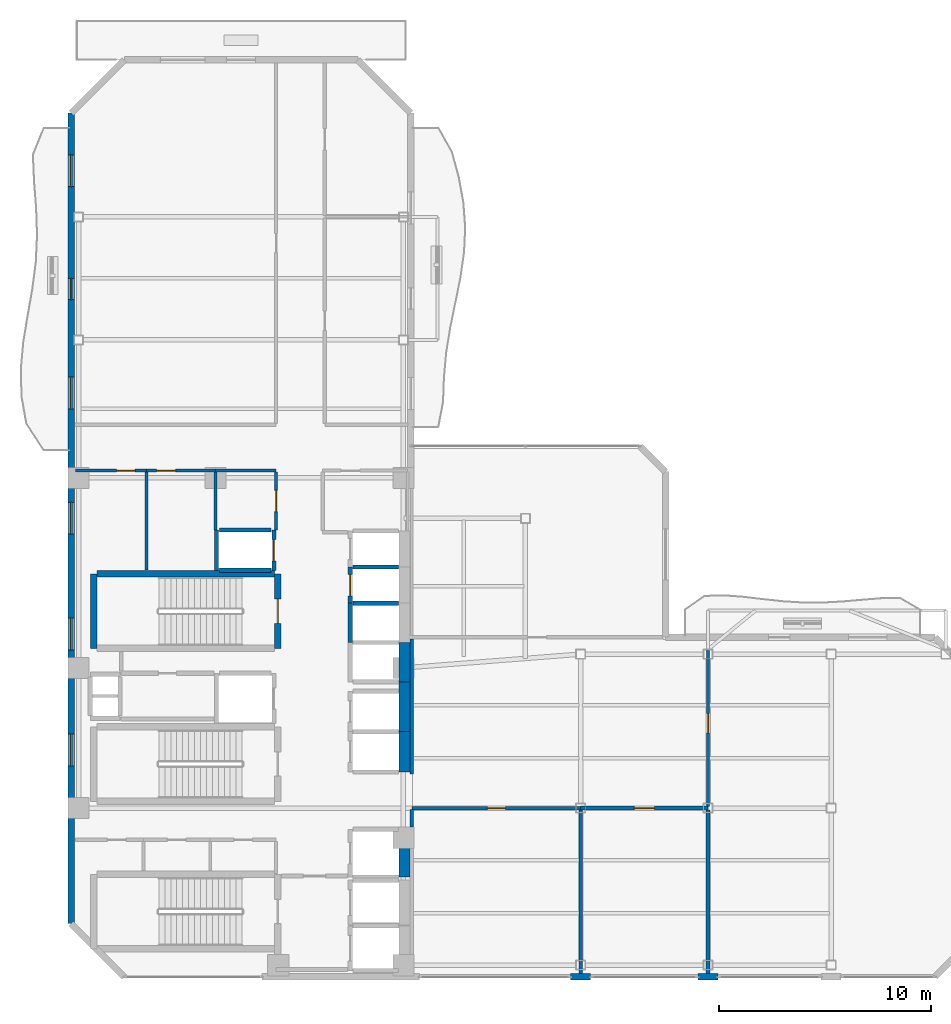
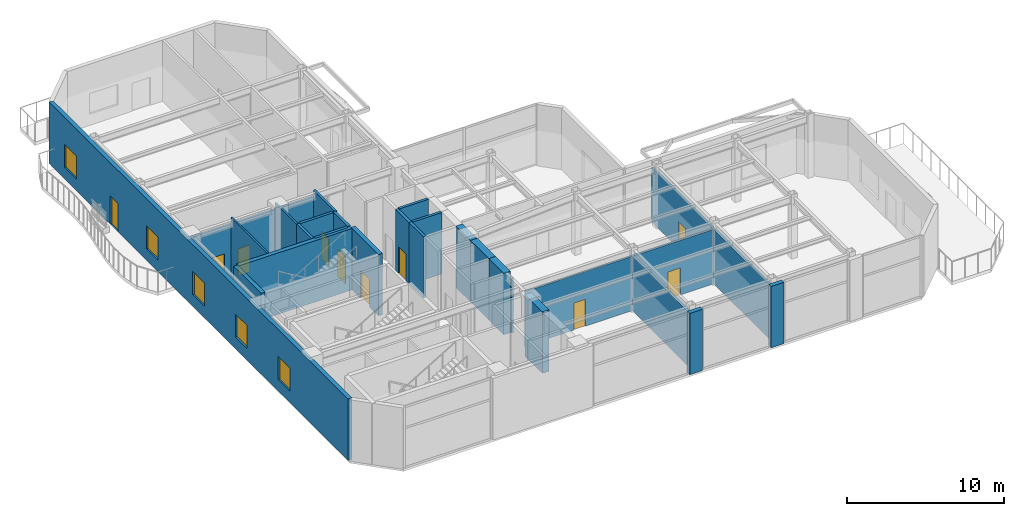
# One storey, part 11 of 16: 31 walls, 10 doors, 5 windows, 15 openings.
"""IFC4 building model written with IfcOpenShell, lengths in metres."""

from ifc_helpers import new_model, si_unit, direction, frame, frame_2d, origin, place, context, subcontext, project, spatial, rectangle, extrude, material, layer, layer_set, type_object, element, fill, save


model = new_model("IFC4")

# Units and contexts
model_context = context("Model", 3, precision=1e-05, world=origin(), true_north=direction((0.0, 1.0)))
body_context = subcontext(model_context, "Body", "Model", "MODEL_VIEW")
ifc_project = project(units=[si_unit("LENGTHUNIT", "METRE"), si_unit("AREAUNIT", "SQUARE_METRE"), si_unit("VOLUMEUNIT", "CUBIC_METRE"), si_unit("PLANEANGLEUNIT", "RADIAN"), si_unit("MASSUNIT", "GRAM", prefix="KILO")], contexts=[model_context])

# Site, building, storey
site_placement = place(None, origin())
site = spatial("IfcSite", under=ifc_project, at=site_placement, CompositionType="ELEMENT")
building_placement = place(site_placement, origin())
building = spatial("IfcBuilding", under=site, at=building_placement, Name="Mawjaban Terraces University", CompositionType="ELEMENT")
storey_placement = place(building_placement, frame((0.0, 0.0, 170.800048828125)))
storey = spatial("IfcBuildingStorey", under=building, at=storey_placement, Name="L41", CompositionType="ELEMENT", Elevation=170.800048828125)

# Wall, opening, door
ifc_material_1 = material(Name="Acoustic masonry blockwork", Category="masonry")
ifc_layer_1 = layer(ifc_material_1, 0.179931640625)
ifc_layer_set_1 = layer_set([ifc_layer_1], Name="Acoustic masonry blockwork")
wall_type_1 = type_object("IfcWallType", Name="AcousticStudioWall_180", PredefinedType="PARTITIONING", material=ifc_layer_set_1)
wall_1_placement = place(storey_placement, frame((46.0, 7.949951171875, 0.0), z_axis=(0.0, 0.0, 1.0), x_axis=(1.0, 0.0, 0.0)))
wall_1 = element("IfcWall", 1, at=wall_1_placement, inside=storey, type_object=wall_type_1, Name="L41 Transfer Sky Lobby Concourse Partition 18", PredefinedType="PARTITIONING", context=body_context, shape_type="SweptSolid", body=[
    extrude(rectangle(XDim=6.0, YDim=0.179931640625, at=frame_2d((3.0, 0.0))), origin(), (0.0, 0.0, 1.0), 4.245849609375),
])
opening_1_placement = place(wall_1_placement, frame((2.52490234375, 0.0, 0.0)))
opening_1 = element("IfcOpeningElement", 2, at=opening_1_placement, cuts=wall_1, Name="Opening ID-095", PredefinedType="OPENING", context=body_context, shape_type="SweptSolid", body=[
    extrude(rectangle(XDim=0.949951171875, YDim=2.10009765625, at=frame_2d((0.47509765625, 1.050048828125))), frame((0.0, 0.099853515625, 0.0), z_axis=(0.0, -1.0, 0.0), x_axis=(1.0, 0.0, 0.0)), (0.0, 0.0, 1.0), 0.199951171875),
])
ifc_material_2 = material(Name="Powder-coated steel frame and solid acoustic timber leaf", Category="steel")
door_type_1 = type_object("IfcDoorType", Name="StudioDoor_950x2100", OperationType="NOTDEFINED", PredefinedType="DOOR", material=ifc_material_2)
door_1_placement = place(opening_1_placement, origin())
door_1 = element("IfcDoor", 3, at=door_1_placement, inside=storey, type_object=door_type_1, Name="L41 Digital Exhibition Workshop Door", OperationType="SINGLE_SWING_RIGHT", OverallHeight=2.10009765625, OverallWidth=0.949951171875, PredefinedType="DOOR", context=body_context, shape_type="SweptSolid", body=[
    extrude(rectangle(XDim=0.949951171875, YDim=2.10009765625, at=frame_2d((0.47509765625, 1.050048828125))), frame((0.0, 0.02490234375, 0.0), z_axis=(0.0, -1.0, 0.0), x_axis=(1.0, 0.0, 0.0)), (0.0, 0.0, 1.0), 0.050048828125),
])
fill(opening_1, door_1)

# Walls
for number, where, z_axis, x_axis, name in (
    (4, (46.0, 0.14501953125, 0.0), (0.0, 0.0, 1.0), (0.0, 1.0, 0.0), "L41 Sky Lobby Espresso and Tea Pantry Partition 35"),
    (5, (52.0, 7.864990234375, 0.0), (0.0, 0.0, 1.0), (0.0, -1.0, 0.0), "L41 Mid-to-High Sky Lounge Partition 36"),
):
    element("IfcWall", number, at=place(storey_placement, frame(where, z_axis=z_axis, x_axis=x_axis)), inside=storey, type_object=wall_type_1, Name=name, PredefinedType="PARTITIONING", context=body_context, shape_type="SweptSolid", body=[
        extrude(rectangle(XDim=7.719970703125, YDim=0.179931640625, at=frame_2d((3.85986328125, 0.0))), origin(), (0.0, 0.0, 1.0), 4.245849609375),
    ])
ifc_material_3 = material(Name="Concrete C60/75", Category="concrete")
ifc_layer_2 = layer(ifc_material_3, 0.5)
ifc_layer_set_2 = layer_set([ifc_layer_2], Name="Concrete C60/75")
wall_type_2 = type_object("IfcWallType", Name="CoreShearWall_500", PredefinedType="SHEAR", material=ifc_layer_set_2)
wall_2_placement = place(storey_placement, frame((37.699951171875, 4.699951171875, 0.0), z_axis=(0.0, 0.0, 1.0), x_axis=(0.0, 1.0, 0.0)))
element("IfcWall", 6, at=wall_2_placement, inside=storey, type_object=wall_type_2, Name="L41 Lift SL-1 Hoistway Wall East", PredefinedType="SHEAR", context=body_context, shape_type="SweptSolid", body=[
    extrude(rectangle(XDim=2.25, YDim=0.5, at=frame_2d((1.125, 0.0))), origin(), (0.0, 0.0, 1.0), 4.7900390625),
])
wall_3_placement = place(storey_placement, frame((37.699951171875, 9.64990234375, 0.0), z_axis=(0.0, 0.0, 1.0), x_axis=(0.0, 1.0, 0.0)))
element("IfcWall", 7, at=wall_3_placement, inside=storey, type_object=wall_type_2, Name="L41 Lift PL-H1 Hoistway Wall East", PredefinedType="SHEAR", context=body_context, shape_type="SweptSolid", body=[
    extrude(rectangle(XDim=1.900146484375, YDim=0.5, at=frame_2d((0.9501953125, 0.0))), origin(), (0.0, 0.0, 1.0), 4.7900390625),
])
wall_4_placement = place(storey_placement, frame((37.699951171875, 11.550048828125, 0.0), z_axis=(0.0, 0.0, 1.0), x_axis=(0.0, 1.0, 0.0)))
element("IfcWall", 8, at=wall_4_placement, inside=storey, type_object=wall_type_2, Name="L41 Lift PL-H2 Hoistway Wall East", PredefinedType="SHEAR", context=body_context, shape_type="SweptSolid", body=[
    extrude(rectangle(XDim=2.349853515625, YDim=0.5, at=frame_2d((1.1748046875, 0.0))), origin(), (0.0, 0.0, 1.0), 4.7900390625),
])
wall_5_placement = place(storey_placement, frame((37.699951171875, 13.89990234375, 0.0), z_axis=(0.0, 0.0, 1.0), x_axis=(0.0, 1.0, 0.0)))
element("IfcWall", 9, at=wall_5_placement, inside=storey, type_object=wall_type_2, Name="L41 Lift OL-1 Hoistway Wall East", PredefinedType="SHEAR", context=body_context, shape_type="SweptSolid", body=[
    extrude(rectangle(XDim=1.85009765625, YDim=0.5, at=frame_2d((0.925048828125, 0.0))), origin(), (0.0, 0.0, 1.0), 4.7900390625),
])

# Wall, opening, door
ifc_material_4 = material(Name="Fire-rated gypsum board on steel stud", Category="steel")
ifc_layer_3 = layer(ifc_material_4, 0.159912109375)
ifc_layer_set_3 = layer_set([ifc_layer_3], Name="Fire-rated gypsum board on steel stud")
wall_type_3 = type_object("IfcWallType", Name="CorridorPartition_160", PredefinedType="PARTITIONING", material=ifc_layer_set_3)
wall_6_placement = place(storey_placement, frame((25.550048828125, 23.85009765625, 0.0), z_axis=(0.0, 0.0, 1.0), x_axis=(-1.0, 0.0, 0.0)))
wall_6 = element("IfcWall", 10, at=wall_6_placement, inside=storey, type_object=wall_type_3, Name="L41 Ablution Room Partition 5", PredefinedType="PARTITIONING", context=body_context, shape_type="SweptSolid", body=[
    extrude(rectangle(XDim=3.35009765625, YDim=0.159912109375, at=frame_2d((1.675048828125, 0.0))), origin(), (0.0, 0.0, 1.0), 4.245849609375),
])
opening_2_placement = place(wall_6_placement, frame((0.534912109375, 0.0, 0.0)))
opening_2 = element("IfcOpeningElement", 11, at=opening_2_placement, cuts=wall_6, Name="Opening ID-088", PredefinedType="OPENING", context=body_context, shape_type="SweptSolid", body=[
    extrude(rectangle(XDim=0.8798828125, YDim=2.10009765625, at=frame_2d((0.43994140625, 1.050048828125))), frame((0.0, 0.08984375, 0.0), z_axis=(0.0, -1.0, 0.0), x_axis=(1.0, 0.0, 0.0)), (0.0, 0.0, 1.0), 0.179931640625),
])
door_type_2 = type_object("IfcDoorType", Name="ToiletDoor_880x2100", OperationType="NOTDEFINED", PredefinedType="DOOR", material=ifc_material_2)
door_2_placement = place(opening_2_placement, origin())
door_2 = element("IfcDoor", 12, at=door_2_placement, inside=storey, type_object=door_type_2, Name="L41 Ablution Room Door", OperationType="SINGLE_SWING_RIGHT", OverallHeight=2.10009765625, OverallWidth=0.8798828125, PredefinedType="DOOR", context=body_context, shape_type="SweptSolid", body=[
    extrude(rectangle(XDim=0.8798828125, YDim=2.10009765625, at=frame_2d((0.43994140625, 1.050048828125))), frame((0.0, 0.02490234375, 0.0), z_axis=(0.0, -1.0, 0.0), x_axis=(1.0, 0.0, 0.0)), (0.0, 0.0, 1.0), 0.050048828125),
])
fill(opening_2, door_2)

wall_7_placement = place(storey_placement, frame((28.800048828125, 23.85009765625, 0.0), z_axis=(0.0, 0.0, 1.0), x_axis=(-1.0, 0.0, 0.0)))
wall_7 = element("IfcWall", 13, at=wall_7_placement, inside=storey, type_object=wall_type_3, Name="L41 Cleaner Store Partition 7", PredefinedType="PARTITIONING", context=body_context, shape_type="SweptSolid", body=[
    extrude(rectangle(XDim=3.25, YDim=0.159912109375, at=frame_2d((1.625, 0.0))), origin(), (0.0, 0.0, 1.0), 4.245849609375),
])
opening_3_placement = place(wall_7_placement, frame((1.875, 0.0, 0.0)))
opening_3 = element("IfcOpeningElement", 14, at=opening_3_placement, cuts=wall_7, Name="Opening ID-090", PredefinedType="OPENING", context=body_context, shape_type="SweptSolid", body=[
    extrude(rectangle(XDim=0.89990234375, YDim=2.10009765625, at=frame_2d((0.449951171875, 1.050048828125))), frame((0.0, 0.08984375, 0.0), z_axis=(0.0, -1.0, 0.0), x_axis=(1.0, 0.0, 0.0)), (0.0, 0.0, 1.0), 0.179931640625),
])
door_type_3 = type_object("IfcDoorType", Name="OfficeDoor_900x2100", OperationType="NOTDEFINED", PredefinedType="DOOR", material=ifc_material_2)
door_3_placement = place(opening_3_placement, origin())
door_3 = element("IfcDoor", 15, at=door_3_placement, inside=storey, type_object=door_type_3, Name="L41 Cleaner Store Door", OperationType="SINGLE_SWING_LEFT", OverallHeight=2.10009765625, OverallWidth=0.89990234375, PredefinedType="DOOR", context=body_context, shape_type="SweptSolid", body=[
    extrude(rectangle(XDim=0.89990234375, YDim=2.10009765625, at=frame_2d((0.449951171875, 1.050048828125))), frame((0.0, 0.02490234375, 0.0), z_axis=(0.0, -1.0, 0.0), x_axis=(1.0, 0.0, 0.0)), (0.0, 0.0, 1.0), 0.050048828125),
])
fill(opening_3, door_3)

# Wall
wall_8_placement = place(storey_placement, frame((31.64990234375, 23.85009765625, 0.0), z_axis=(0.0, 0.0, 1.0), x_axis=(-1.0, 0.0, 0.0)))
element("IfcWall", 16, at=wall_8_placement, inside=storey, type_object=wall_type_3, Name="L41 Academic Tutorial Alcove Partition 9", PredefinedType="PARTITIONING", context=body_context, shape_type="SweptSolid", body=[
    extrude(rectangle(XDim=2.849853515625, YDim=0.159912109375, at=frame_2d((1.4248046875, 0.0))), origin(), (0.0, 0.0, 1.0), 4.245849609375),
])

# Wall, opening, door
wall_9_placement = place(storey_placement, frame((38.050048828125, 7.949951171875, 0.0), z_axis=(0.0, 0.0, 1.0), x_axis=(1.0, 0.0, 0.0)))
wall_9 = element("IfcWall", 17, at=wall_9_placement, inside=storey, type_object=wall_type_3, Name="L41 Transfer Sky Lobby Concourse Partition 16", PredefinedType="PARTITIONING", context=body_context, shape_type="SweptSolid", body=[
    extrude(rectangle(XDim=7.949951171875, YDim=0.159912109375, at=frame_2d((3.97509765625, 0.0))), origin(), (0.0, 0.0, 1.0), 4.245849609375),
])
opening_4_placement = place(wall_9_placement, frame((3.550048828125, 0.0, 0.0)))
opening_4 = element("IfcOpeningElement", 18, at=opening_4_placement, cuts=wall_9, Name="Opening FD-085", PredefinedType="OPENING", context=body_context, shape_type="SweptSolid", body=[
    extrude(rectangle(XDim=0.85009765625, YDim=2.10009765625, at=frame_2d((0.425048828125, 1.050048828125))), frame((0.0, 0.08984375, 0.0), z_axis=(0.0, -1.0, 0.0), x_axis=(1.0, 0.0, 0.0)), (0.0, 0.0, 1.0), 0.179931640625),
])
ifc_material_5 = material(Name="Powder-coated steel frame and fire-rated steel-faced leaf", Category="steel")
door_type_4 = type_object("IfcDoorType", Name="FireRiserDoor_850x2100", OperationType="NOTDEFINED", PredefinedType="DOOR", material=ifc_material_5)
door_4_placement = place(opening_4_placement, origin())
door_4 = element("IfcDoor", 19, at=door_4_placement, inside=storey, type_object=door_type_4, Name="L41 Sky Lobby Espresso and Tea Pantry Door", OperationType="SINGLE_SWING_LEFT", OverallHeight=2.10009765625, OverallWidth=0.85009765625, PredefinedType="DOOR", context=body_context, shape_type="SweptSolid", body=[
    extrude(rectangle(XDim=0.85009765625, YDim=2.10009765625, at=frame_2d((0.425048828125, 1.050048828125))), frame((0.0, 0.02490234375, 0.0), z_axis=(0.0, -1.0, 0.0), x_axis=(1.0, 0.0, 0.0)), (0.0, 0.0, 1.0), 0.050048828125),
])
fill(opening_4, door_4)

wall_10_placement = place(storey_placement, frame((31.64990234375, 23.77490234375, 0.0), z_axis=(0.0, 0.0, 1.0), x_axis=(0.0, -1.0, 0.0)))
wall_10 = element("IfcWall", 20, at=wall_10_placement, inside=storey, type_object=wall_type_3, Name="L41 Core North Lift Lobby Partition 25", PredefinedType="PARTITIONING", context=body_context, shape_type="SweptSolid", body=[
    extrude(rectangle(XDim=2.724853515625, YDim=0.159912109375, at=frame_2d((1.3623046875, 0.0))), origin(), (0.0, 0.0, 1.0), 4.7900390625),
])
opening_5_placement = place(wall_10_placement, frame((0.862060546875, 0.0, 0.0)))
opening_5 = element("IfcOpeningElement", 21, at=opening_5_placement, cuts=wall_10, Name="Opening ID-100", PredefinedType="OPENING", context=body_context, shape_type="SweptSolid", body=[
    extrude(rectangle(XDim=1.0, YDim=2.10009765625, at=frame_2d((0.5, 1.050048828125))), frame((0.0, 0.08984375, 0.0), z_axis=(0.0, -1.0, 0.0), x_axis=(1.0, 0.0, 0.0)), (0.0, 0.0, 1.0), 0.179931640625),
])
door_type_5 = type_object("IfcDoorType", Name="ClassroomDoor_1000x2100", OperationType="NOTDEFINED", PredefinedType="DOOR", material=ifc_material_2)
door_5_placement = place(opening_5_placement, origin())
door_5 = element("IfcDoor", 22, at=door_5_placement, inside=storey, type_object=door_type_5, Name="L41 Academic Tutorial Alcove Door", OperationType="SINGLE_SWING_LEFT", OverallHeight=2.10009765625, OverallWidth=1.0, PredefinedType="DOOR", context=body_context, shape_type="SweptSolid", body=[
    extrude(rectangle(XDim=1.0, YDim=2.10009765625, at=frame_2d((0.5, 1.050048828125))), frame((0.0, 0.02490234375, 0.0), z_axis=(0.0, -1.0, 0.0), x_axis=(1.0, 0.0, 0.0)), (0.0, 0.0, 1.0), 0.050048828125),
])
fill(opening_5, door_5)

# Walls
wall_11_placement = place(storey_placement, frame((38.050048828125, 7.050048828125, 0.0), z_axis=(0.0, 0.0, 1.0), x_axis=(0.0, 1.0, 0.0)))
element("IfcWall", 23, at=wall_11_placement, inside=storey, type_object=wall_type_3, Name="L41 Core Stair and Lift Lobby East Partition 31", PredefinedType="PARTITIONING", context=body_context, shape_type="SweptSolid", body=[
    extrude(rectangle(XDim=0.824951171875, YDim=0.159912109375, at=frame_2d((0.41259765625, 0.0))), origin(), (0.0, 0.0, 1.0), 4.245849609375),
])
wall_12_placement = place(storey_placement, frame((38.050048828125, 15.925048828125, 0.0), z_axis=(0.0, 0.0, 1.0), x_axis=(0.0, -1.0, 0.0)))
element("IfcWall", 24, at=wall_12_placement, inside=storey, type_object=wall_type_3, Name="L41 Transfer Sky Lobby Concourse Partition 33", PredefinedType="PARTITIONING", context=body_context, shape_type="SweptSolid", body=[
    extrude(rectangle(XDim=6.375, YDim=0.159912109375, at=frame_2d((3.1875, 0.0))), origin(), (0.0, 0.0, 1.0), 4.245849609375),
])

# Wall, opening, door
wall_13_placement = place(storey_placement, frame((52.0, 8.034912109375, 0.0), z_axis=(0.0, 0.0, 1.0), x_axis=(0.0, 1.0, 0.0)))
wall_13 = element("IfcWall", 25, at=wall_13_placement, inside=storey, type_object=wall_type_3, Name="L41 Transfer Sky Lobby Concourse Partition 37", PredefinedType="PARTITIONING", context=body_context, shape_type="SweptSolid", body=[
    extrude(rectangle(XDim=7.820068359375, YDim=0.159912109375, at=frame_2d((3.91015625, 0.0))), origin(), (0.0, 0.0, 1.0), 4.245849609375),
])
opening_6_placement = place(wall_13_placement, frame((3.4599609375, 0.0, 0.0)))
opening_6 = element("IfcOpeningElement", 26, at=opening_6_placement, cuts=wall_13, Name="Opening ID-090", PredefinedType="OPENING", context=body_context, shape_type="SweptSolid", body=[
    extrude(rectangle(XDim=0.89990234375, YDim=2.10009765625, at=frame_2d((0.449951171875, 1.050048828125))), frame((0.0, 0.08984375, 0.0), z_axis=(0.0, -1.0, 0.0), x_axis=(1.0, 0.0, 0.0)), (0.0, 0.0, 1.0), 0.179931640625),
])
door_6_placement = place(opening_6_placement, origin())
door_6 = element("IfcDoor", 27, at=door_6_placement, inside=storey, type_object=door_type_3, Name="L41 Mid-to-High Sky Lounge Door", OperationType="SINGLE_SWING_RIGHT", OverallHeight=2.10009765625, OverallWidth=0.89990234375, PredefinedType="DOOR", context=body_context, shape_type="SweptSolid", body=[
    extrude(rectangle(XDim=0.89990234375, YDim=2.10009765625, at=frame_2d((0.449951171875, 1.050048828125))), frame((0.0, 0.02490234375, 0.0), z_axis=(0.0, -1.0, 0.0), x_axis=(1.0, 0.0, 0.0)), (0.0, 0.0, 1.0), 0.050048828125),
])
fill(opening_6, door_6)

# Walls
ifc_material_6 = material(Name="Insulated terracotta rainscreen on concrete backup C40/50", Category="masonry")
ifc_layer_4 = layer(ifc_material_6, 0.300048828125)
ifc_layer_set_4 = layer_set([ifc_layer_4], Name="Insulated terracotta rainscreen on concrete backup C40/50")
wall_type_4 = type_object("IfcWallType", Name="ExtTerracottaWall_300", PredefinedType="SOLIDWALL", material=ifc_layer_set_4)
for number, where, z_axis, x_axis, name in (
    (28, (45.52490234375, 0.0, 0.0), (0.0, 0.0, 1.0), (1.0, 0.0, 0.0), "L41 Exterior Terracotta Pier Wall 1.2"),
    (29, (51.52490234375, 0.0, 0.0), (0.0, 0.0, 1.0), (1.0, 0.0, 0.0), "L41 Exterior Terracotta Pier Wall 1.3"),
):
    element("IfcWall", number, at=place(storey_placement, frame(where, z_axis=z_axis, x_axis=x_axis)), inside=storey, type_object=wall_type_4, Name=name, PredefinedType="SOLIDWALL", context=body_context, shape_type="SweptSolid", body=[
        extrude(rectangle(XDim=0.9501953125, YDim=0.300048828125, at=frame_2d((0.47509765625, 0.0))), origin(), (0.0, 0.0, 1.0), 4.7900390625),
    ])

# Wall, openings, door, windows
wall_14_placement = place(storey_placement, frame((22.0, 40.699951171875, 0.0), z_axis=(0.0, 0.0, 1.0), x_axis=(0.0, -1.0, 0.0)))
wall_14 = element("IfcWall", 30, at=wall_14_placement, inside=storey, type_object=wall_type_4, Name="L41 Exterior Terracotta Wall 13", PredefinedType="SOLIDWALL", context=body_context, shape_type="SweptSolid", body=[
    extrude(rectangle(XDim=38.199951171875, YDim=0.300048828125, at=frame_2d((19.10009765625, 0.0))), origin(), (0.0, 0.0, 1.0), 4.7900390625),
])
opening_7_placement = place(wall_14_placement, frame((7.800048828125, 0.0, 0.0)))
opening_7 = element("IfcOpeningElement", 31, at=opening_7_placement, cuts=wall_14, Name="Opening BD-100", PredefinedType="OPENING", context=body_context, shape_type="SweptSolid", body=[
    extrude(rectangle(XDim=1.0, YDim=2.199951171875, at=frame_2d((0.5, 1.10009765625))), frame((0.0, 0.159912109375, 0.0), z_axis=(0.0, -1.0, 0.0), x_axis=(1.0, 0.0, 0.0)), (0.0, 0.0, 1.0), 0.320068359375),
])
opening_8_placement = place(wall_14_placement, frame((1.97900390625, 0.0, 0.89990234375)))
opening_8 = element("IfcOpeningElement", 32, at=opening_8_placement, cuts=wall_14, Name="Opening W-06", PredefinedType="OPENING", context=body_context, shape_type="SweptSolid", body=[
    extrude(rectangle(XDim=1.5, YDim=1.800048828125, at=frame_2d((0.75, 0.89990234375))), frame((0.0, 0.159912109375, 0.0), z_axis=(0.0, -1.0, 0.0), x_axis=(1.0, 0.0, 0.0)), (0.0, 0.0, 1.0), 0.320068359375),
])
opening_9_placement = place(wall_14_placement, frame((12.443115234375, 0.0, 0.89990234375)))
opening_9 = element("IfcOpeningElement", 33, at=opening_9_placement, cuts=wall_14, Name="Opening W-06", PredefinedType="OPENING", context=body_context, shape_type="SweptSolid", body=[
    extrude(rectangle(XDim=1.5, YDim=1.800048828125, at=frame_2d((0.75, 0.89990234375))), frame((0.0, 0.159912109375, 0.0), z_axis=(0.0, -1.0, 0.0), x_axis=(1.0, 0.0, 0.0)), (0.0, 0.0, 1.0), 0.320068359375),
])
opening_10_placement = place(wall_14_placement, frame((18.35009765625, 0.0, 0.89990234375)))
opening_10 = element("IfcOpeningElement", 34, at=opening_10_placement, cuts=wall_14, Name="Opening W-06", PredefinedType="OPENING", context=body_context, shape_type="SweptSolid", body=[
    extrude(rectangle(XDim=1.5, YDim=1.800048828125, at=frame_2d((0.75, 0.89990234375))), frame((0.0, 0.159912109375, 0.0), z_axis=(0.0, -1.0, 0.0), x_axis=(1.0, 0.0, 0.0)), (0.0, 0.0, 1.0), 0.320068359375),
])
opening_11_placement = place(wall_14_placement, frame((23.806884765625, 0.0, 0.89990234375)))
opening_11 = element("IfcOpeningElement", 35, at=opening_11_placement, cuts=wall_14, Name="Opening W-06", PredefinedType="OPENING", context=body_context, shape_type="SweptSolid", body=[
    extrude(rectangle(XDim=1.5, YDim=1.800048828125, at=frame_2d((0.75, 0.89990234375))), frame((0.0, 0.159912109375, 0.0), z_axis=(0.0, -1.0, 0.0), x_axis=(1.0, 0.0, 0.0)), (0.0, 0.0, 1.0), 0.320068359375),
])
opening_12_placement = place(wall_14_placement, frame((29.263916015625, 0.0, 0.89990234375)))
opening_12 = element("IfcOpeningElement", 36, at=opening_12_placement, cuts=wall_14, Name="Opening W-06", PredefinedType="OPENING", context=body_context, shape_type="SweptSolid", body=[
    extrude(rectangle(XDim=1.5, YDim=1.800048828125, at=frame_2d((0.75, 0.89990234375))), frame((0.0, 0.159912109375, 0.0), z_axis=(0.0, -1.0, 0.0), x_axis=(1.0, 0.0, 0.0)), (0.0, 0.0, 1.0), 0.320068359375),
])
ifc_material_7 = material(Name="Thermally broken anodised aluminium and laminated safety glass", Category="aluminium")
door_type_6 = type_object("IfcDoorType", Name="BalconyGlazedDoor_1000x2200", OperationType="NOTDEFINED", PredefinedType="DOOR", material=ifc_material_7)
door_7_placement = place(opening_7_placement, origin())
door_7 = element("IfcDoor", 37, at=door_7_placement, inside=storey, type_object=door_type_6, Name="L41 Balcony Access Door west", OperationType="SINGLE_SWING_RIGHT", OverallHeight=2.199951171875, OverallWidth=1.0, PredefinedType="DOOR", context=body_context, shape_type="SweptSolid", body=[
    extrude(rectangle(XDim=1.0, YDim=2.199951171875, at=frame_2d((0.5, 1.10009765625))), frame((0.0, 0.02490234375, 0.0), z_axis=(0.0, -1.0, 0.0), x_axis=(1.0, 0.0, 0.0)), (0.0, 0.0, 1.0), 0.050048828125),
])
fill(opening_7, door_7)
ifc_material_8 = material(Name="Low-E solar-control double glazing in thermally broken aluminium frame", Category="aluminium")
window_type = type_object("IfcWindowType", Name="Win_1500x1800", PartitioningType="SINGLE_PANEL", PredefinedType="WINDOW", material=ifc_material_8)
window_1_placement = place(opening_8_placement, origin())
window_1 = element("IfcWindow", 38, at=window_1_placement, inside=storey, type_object=window_type, Name="L41 Facade Window 13.1", OverallHeight=1.800048828125, OverallWidth=1.5, PartitioningType="SINGLE_PANEL", PredefinedType="WINDOW", context=body_context, shape_type="SweptSolid", body=[
    extrude(rectangle(XDim=1.5, YDim=1.800048828125, at=frame_2d((0.75, 0.89990234375))), frame((0.0, 0.030029296875, 0.0), z_axis=(0.0, -1.0, 0.0), x_axis=(1.0, 0.0, 0.0)), (0.0, 0.0, 1.0), 0.06005859375),
])
fill(opening_8, window_1)
window_2_placement = place(opening_9_placement, origin())
window_2 = element("IfcWindow", 39, at=window_2_placement, inside=storey, type_object=window_type, Name="L41 Facade Window 13.3", OverallHeight=1.800048828125, OverallWidth=1.5, PartitioningType="SINGLE_PANEL", PredefinedType="WINDOW", context=body_context, shape_type="SweptSolid", body=[
    extrude(rectangle(XDim=1.5, YDim=1.800048828125, at=frame_2d((0.75, 0.89990234375))), frame((0.0, 0.030029296875, 0.0), z_axis=(0.0, -1.0, 0.0), x_axis=(1.0, 0.0, 0.0)), (0.0, 0.0, 1.0), 0.06005859375),
])
fill(opening_9, window_2)
window_3_placement = place(opening_10_placement, origin())
window_3 = element("IfcWindow", 40, at=window_3_placement, inside=storey, type_object=window_type, Name="L41 Facade Window 13.4", OverallHeight=1.800048828125, OverallWidth=1.5, PartitioningType="SINGLE_PANEL", PredefinedType="WINDOW", context=body_context, shape_type="SweptSolid", body=[
    extrude(rectangle(XDim=1.5, YDim=1.800048828125, at=frame_2d((0.75, 0.89990234375))), frame((0.0, 0.030029296875, 0.0), z_axis=(0.0, -1.0, 0.0), x_axis=(1.0, 0.0, 0.0)), (0.0, 0.0, 1.0), 0.06005859375),
])
fill(opening_10, window_3)
window_4_placement = place(opening_11_placement, origin())
window_4 = element("IfcWindow", 41, at=window_4_placement, inside=storey, type_object=window_type, Name="L41 Facade Window 13.5", OverallHeight=1.800048828125, OverallWidth=1.5, PartitioningType="SINGLE_PANEL", PredefinedType="WINDOW", context=body_context, shape_type="SweptSolid", body=[
    extrude(rectangle(XDim=1.5, YDim=1.800048828125, at=frame_2d((0.75, 0.89990234375))), frame((0.0, 0.030029296875, 0.0), z_axis=(0.0, -1.0, 0.0), x_axis=(1.0, 0.0, 0.0)), (0.0, 0.0, 1.0), 0.06005859375),
])
fill(opening_11, window_4)
window_5_placement = place(opening_12_placement, origin())
window_5 = element("IfcWindow", 42, at=window_5_placement, inside=storey, type_object=window_type, Name="L41 Facade Window 13.6", OverallHeight=1.800048828125, OverallWidth=1.5, PartitioningType="SINGLE_PANEL", PredefinedType="WINDOW", context=body_context, shape_type="SweptSolid", body=[
    extrude(rectangle(XDim=1.5, YDim=1.800048828125, at=frame_2d((0.75, 0.89990234375))), frame((0.0, 0.030029296875, 0.0), z_axis=(0.0, -1.0, 0.0), x_axis=(1.0, 0.0, 0.0)), (0.0, 0.0, 1.0), 0.06005859375),
])
fill(opening_12, window_5)

# Walls
ifc_material_9 = material(Name="Concrete C40/50", Category="concrete")
ifc_layer_5 = layer(ifc_material_9, 0.199951171875)
ifc_layer_set_5 = layer_set([ifc_layer_5], Name="Concrete C40/50")
wall_type_5 = type_object("IfcWallType", Name="FireLobbyWall_200", PredefinedType="SOLIDWALL", material=ifc_layer_set_5)
wall_15_placement = place(storey_placement, frame((35.14990234375, 17.60009765625, 0.0), z_axis=(0.0, 0.0, 1.0), x_axis=(0.0, -1.0, 0.0)))
element("IfcWall", 43, at=wall_15_placement, inside=storey, type_object=wall_type_5, Name="L41 Lift OL-2 Hoistway Wall West", PredefinedType="SOLIDWALL", context=body_context, shape_type="SweptSolid", body=[
    extrude(rectangle(XDim=1.85009765625, YDim=0.199951171875, at=frame_2d((0.925048828125, 0.0))), origin(), (0.0, 0.0, 1.0), 4.7900390625),
])
wall_16_placement = place(storey_placement, frame((37.419921875, 17.60009765625, 0.0), z_axis=(0.0, 0.0, 1.0), x_axis=(-1.0, 0.0, 0.0)))
element("IfcWall", 44, at=wall_16_placement, inside=storey, type_object=wall_type_5, Name="L41 Lift OL-2 Hoistway Wall North", PredefinedType="SOLIDWALL", context=body_context, shape_type="SweptSolid", body=[
    extrude(rectangle(XDim=2.139892578125, YDim=0.199951171875, at=frame_2d((1.06982421875, 0.0))), origin(), (0.0, 0.0, 1.0), 4.7900390625),
])

# Wall, opening, door
wall_17_placement = place(storey_placement, frame((35.14990234375, 19.300048828125, 0.0), z_axis=(0.0, 0.0, 1.0), x_axis=(0.0, -1.0, 0.0)))
wall_17 = element("IfcWall", 45, at=wall_17_placement, inside=storey, type_object=wall_type_5, Name="L41 Lift PL-M1 Hoistway Wall West", PredefinedType="SOLIDWALL", context=body_context, shape_type="SweptSolid", body=[
    extrude(rectangle(XDim=1.699951171875, YDim=0.199951171875, at=frame_2d((0.85009765625, 0.0))), origin(), (0.0, 0.0, 1.0), 4.7900390625),
])
opening_13_placement = place(wall_17_placement, frame((0.35009765625, 0.0, 0.0)))
opening_13 = element("IfcOpeningElement", 46, at=opening_13_placement, cuts=wall_17, Name="Opening LD-PL-M1", PredefinedType="OPENING", context=body_context, shape_type="SweptSolid", body=[
    extrude(rectangle(XDim=1.0, YDim=2.10009765625, at=frame_2d((0.5, 1.050048828125))), frame((0.0, 0.10986328125, 0.0), z_axis=(0.0, -1.0, 0.0), x_axis=(1.0, 0.0, 0.0)), (0.0, 0.0, 1.0), 0.219970703125),
])
door_type_7 = type_object("IfcDoorType", Name="LiftLandingSliding_1000x2100", OperationType="NOTDEFINED", PredefinedType="DOOR", material=ifc_material_5)
door_8_placement = place(opening_13_placement, origin())
door_8 = element("IfcDoor", 47, at=door_8_placement, inside=storey, type_object=door_type_7, Name="L41 Lift PL-M1 Sliding Landing Door", OperationType="DOUBLE_DOOR_SLIDING", OverallHeight=2.10009765625, OverallWidth=1.0, PredefinedType="DOOR", context=body_context, shape_type="SweptSolid", body=[
    extrude(rectangle(XDim=1.0, YDim=2.10009765625, at=frame_2d((0.5, 1.050048828125))), frame((0.0, 0.02490234375, 0.0), z_axis=(0.0, -1.0, 0.0), x_axis=(1.0, 0.0, 0.0)), (0.0, 0.0, 1.0), 0.050048828125),
])
fill(opening_13, door_8)

# Walls
wall_18_placement = place(storey_placement, frame((37.419921875, 19.300048828125, 0.0), z_axis=(0.0, 0.0, 1.0), x_axis=(-1.0, 0.0, 0.0)))
element("IfcWall", 48, at=wall_18_placement, inside=storey, type_object=wall_type_5, Name="L41 Lift PL-M1 Hoistway Wall North", PredefinedType="SOLIDWALL", context=body_context, shape_type="SweptSolid", body=[
    extrude(rectangle(XDim=2.139892578125, YDim=0.199951171875, at=frame_2d((1.06982421875, 0.0))), origin(), (0.0, 0.0, 1.0), 4.7900390625),
])
wall_19_placement = place(storey_placement, frame((28.85009765625, 21.050048828125, 0.0), z_axis=(0.0, 0.0, 1.0), x_axis=(0.0, -1.0, 0.0)))
element("IfcWall", 49, at=wall_19_placement, inside=storey, type_object=wall_type_5, Name="L41 Lift PL-M3 Hoistway Wall West", PredefinedType="SOLIDWALL", context=body_context, shape_type="SweptSolid", body=[
    extrude(rectangle(XDim=1.900146484375, YDim=0.199951171875, at=frame_2d((0.9501953125, 0.0))), origin(), (0.0, 0.0, 1.0), 4.7900390625),
])

# Wall, opening, door
wall_20_placement = place(storey_placement, frame((31.550048828125, 19.14990234375, 0.0), z_axis=(0.0, 0.0, 1.0), x_axis=(0.0, 1.0, 0.0)))
wall_20 = element("IfcWall", 50, at=wall_20_placement, inside=storey, type_object=wall_type_5, Name="L41 Lift PL-M3 Hoistway Wall East", PredefinedType="SOLIDWALL", context=body_context, shape_type="SweptSolid", body=[
    extrude(rectangle(XDim=1.900146484375, YDim=0.199951171875, at=frame_2d((0.9501953125, 0.0))), origin(), (0.0, 0.0, 1.0), 4.7900390625),
])
opening_14_placement = place(wall_20_placement, frame((0.449951171875, 0.0, 0.0)))
opening_14 = element("IfcOpeningElement", 51, at=opening_14_placement, cuts=wall_20, Name="Opening LD-PL-M3", PredefinedType="OPENING", context=body_context, shape_type="SweptSolid", body=[
    extrude(rectangle(XDim=1.0, YDim=2.10009765625, at=frame_2d((0.5, 1.050048828125))), frame((0.0, 0.10986328125, 0.0), z_axis=(0.0, -1.0, 0.0), x_axis=(1.0, 0.0, 0.0)), (0.0, 0.0, 1.0), 0.219970703125),
])
door_9_placement = place(opening_14_placement, origin())
door_9 = element("IfcDoor", 52, at=door_9_placement, inside=storey, type_object=door_type_7, Name="L41 Lift PL-M3 Sliding Landing Door", OperationType="DOUBLE_DOOR_SLIDING", OverallHeight=2.10009765625, OverallWidth=1.0, PredefinedType="DOOR", context=body_context, shape_type="SweptSolid", body=[
    extrude(rectangle(XDim=1.0, YDim=2.10009765625, at=frame_2d((0.5, 1.050048828125))), frame((0.0, 0.02490234375, 0.0), z_axis=(0.0, -1.0, 0.0), x_axis=(1.0, 0.0, 0.0)), (0.0, 0.0, 1.0), 0.050048828125),
])
fill(opening_14, door_9)

# Walls
for number, where, z_axis, x_axis, name in (
    (53, (28.97998046875, 19.14990234375, 0.0), (0.0, 0.0, 1.0), (1.0, 0.0, 0.0), "L41 Lift PL-M3 Hoistway Wall South"),
    (54, (31.419921875, 21.050048828125, 0.0), (0.0, 0.0, 1.0), (-1.0, 0.0, 0.0), "L41 Lift PL-M3 Hoistway Wall North"),
):
    element("IfcWall", number, at=place(storey_placement, frame(where, z_axis=z_axis, x_axis=x_axis)), inside=storey, type_object=wall_type_5, Name=name, PredefinedType="SOLIDWALL", context=body_context, shape_type="SweptSolid", body=[
        extrude(rectangle(XDim=2.43994140625, YDim=0.199951171875, at=frame_2d((1.219970703125, 0.0))), origin(), (0.0, 0.0, 1.0), 4.7900390625),
    ])
ifc_material_10 = material(Name="Gypsum plasterboard on steel stud", Category="steel")
ifc_layer_6 = layer(ifc_material_10, 0.125)
ifc_layer_set_6 = layer_set([ifc_layer_6], Name="Gypsum plasterboard on steel stud")
wall_type_6 = type_object("IfcWallType", Name="OfficePartition_125", PredefinedType="PARTITIONING", material=ifc_layer_set_6)
wall_21_placement = place(storey_placement, frame((28.800048828125, 23.77490234375, 0.0), z_axis=(0.0, 0.0, 1.0), x_axis=(0.0, -1.0, 0.0)))
element("IfcWall", 55, at=wall_21_placement, inside=storey, type_object=wall_type_6, Name="L41 Academic Tutorial Alcove Partition 23", PredefinedType="PARTITIONING", context=body_context, shape_type="SweptSolid", body=[
    extrude(rectangle(XDim=2.724853515625, YDim=0.125, at=frame_2d((1.3623046875, 0.0))), origin(), (0.0, 0.0, 1.0), 4.7900390625),
])
ifc_layer_7 = layer(ifc_material_3, 0.300048828125)
ifc_layer_set_7 = layer_set([ifc_layer_7], Name="Concrete C60/75")
wall_type_7 = type_object("IfcWallType", Name="StairShaftWall_300", PredefinedType="SHEAR", material=ifc_layer_set_7)
wall_22_placement = place(storey_placement, frame((31.580078125, 18.97998046875, 0.0), z_axis=(0.0, 0.0, 1.0), x_axis=(-1.0, 0.0, 0.0)))
element("IfcWall", 56, at=wall_22_placement, inside=storey, type_object=wall_type_7, Name="L41 ST-2 Stair Shaft Wall 1", PredefinedType="SHEAR", context=body_context, shape_type="SweptSolid", body=[
    extrude(rectangle(XDim=8.360107421875, YDim=0.300048828125, at=frame_2d((4.18017578125, 0.0))), origin(), (0.0, 0.0, 1.0), 4.7900390625),
])
wall_23_placement = place(storey_placement, frame((23.070068359375, 18.97998046875, 0.0), z_axis=(0.0, 0.0, 1.0), x_axis=(0.0, -1.0, 0.0)))
element("IfcWall", 57, at=wall_23_placement, inside=storey, type_object=wall_type_7, Name="L41 ST-2 Stair Shaft Wall 2", PredefinedType="SHEAR", context=body_context, shape_type="SweptSolid", body=[
    extrude(rectangle(XDim=3.510009765625, YDim=0.300048828125, at=frame_2d((1.7548828125, 0.0))), origin(), (0.0, 0.0, 1.0), 4.7900390625),
])

# Wall, opening, door
wall_24_placement = place(storey_placement, frame((31.72998046875, 15.469970703125, 0.0), z_axis=(0.0, 0.0, 1.0), x_axis=(0.0, 1.0, 0.0)))
wall_24 = element("IfcWall", 58, at=wall_24_placement, inside=storey, type_object=wall_type_7, Name="L41 ST-2 Stair Shaft Wall 4", PredefinedType="SHEAR", context=body_context, shape_type="SweptSolid", body=[
    extrude(rectangle(XDim=3.510009765625, YDim=0.300048828125, at=frame_2d((1.7548828125, 0.0))), origin(), (0.0, 0.0, 1.0), 4.7900390625),
])
opening_15_placement = place(wall_24_placement, frame((1.179931640625, 0.0, 0.0)))
opening_15 = element("IfcOpeningElement", 59, at=opening_15_placement, cuts=wall_24, Name="Opening FD-115", PredefinedType="OPENING", context=body_context, shape_type="SweptSolid", body=[
    extrude(rectangle(XDim=1.14990234375, YDim=2.14990234375, at=frame_2d((0.574951171875, 1.074951171875))), frame((0.0, 0.159912109375, 0.0), z_axis=(0.0, -1.0, 0.0), x_axis=(1.0, 0.0, 0.0)), (0.0, 0.0, 1.0), 0.320068359375),
])
door_type_8 = type_object("IfcDoorType", Name="FireStairDoor_1150x2150", OperationType="NOTDEFINED", PredefinedType="DOOR", material=ifc_material_5)
door_10_placement = place(opening_15_placement, origin())
door_10 = element("IfcDoor", 60, at=door_10_placement, inside=storey, type_object=door_type_8, Name="L41 ST-2 Pressurised Stair Fire Door", OperationType="SINGLE_SWING_LEFT", OverallHeight=2.14990234375, OverallWidth=1.14990234375, PredefinedType="DOOR", context=body_context, shape_type="SweptSolid", body=[
    extrude(rectangle(XDim=1.14990234375, YDim=2.14990234375, at=frame_2d((0.574951171875, 1.074951171875))), frame((0.0, 0.02490234375, 0.0), z_axis=(0.0, -1.0, 0.0), x_axis=(1.0, 0.0, 0.0)), (0.0, 0.0, 1.0), 0.050048828125),
])
fill(opening_15, door_10)

# Wall
ifc_material_11 = material(Name="Cement-board wet-room partition", Category="masonry")
ifc_layer_8 = layer(ifc_material_11, 0.135009765625)
ifc_layer_set_8 = layer_set([ifc_layer_8], Name="Cement-board wet-room partition")
wall_type_8 = type_object("IfcWallType", Name="WetRoomPartition_135", PredefinedType="PARTITIONING", material=ifc_layer_set_8)
wall_25_placement = place(storey_placement, frame((25.550048828125, 19.159912109375, 0.0), z_axis=(0.0, 0.0, 1.0), x_axis=(0.0, 1.0, 0.0)))
element("IfcWall", 61, at=wall_25_placement, inside=storey, type_object=wall_type_8, Name="L41 Ablution Room Partition 21", PredefinedType="PARTITIONING", context=body_context, shape_type="SweptSolid", body=[
    extrude(rectangle(XDim=4.614990234375, YDim=0.135009765625, at=frame_2d((2.3076171875, 0.0))), origin(), (0.0, 0.0, 1.0), 4.7900390625),
])

save(model, "model.ifc")
